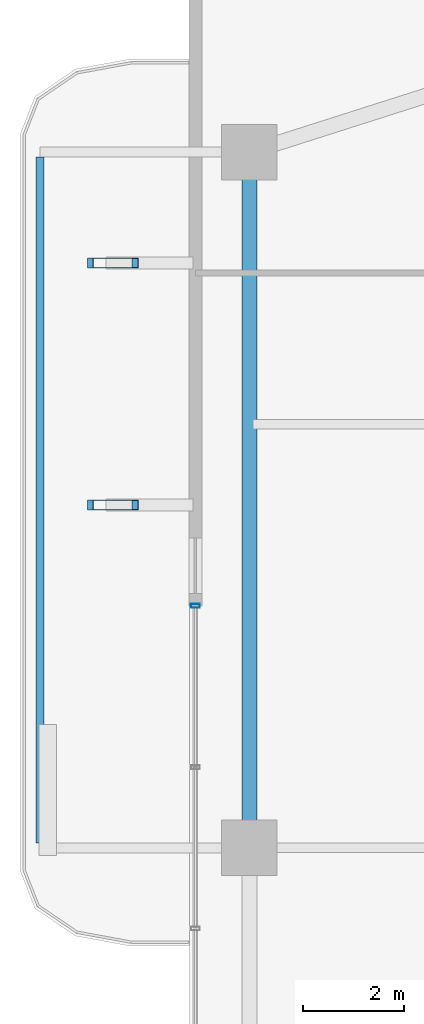
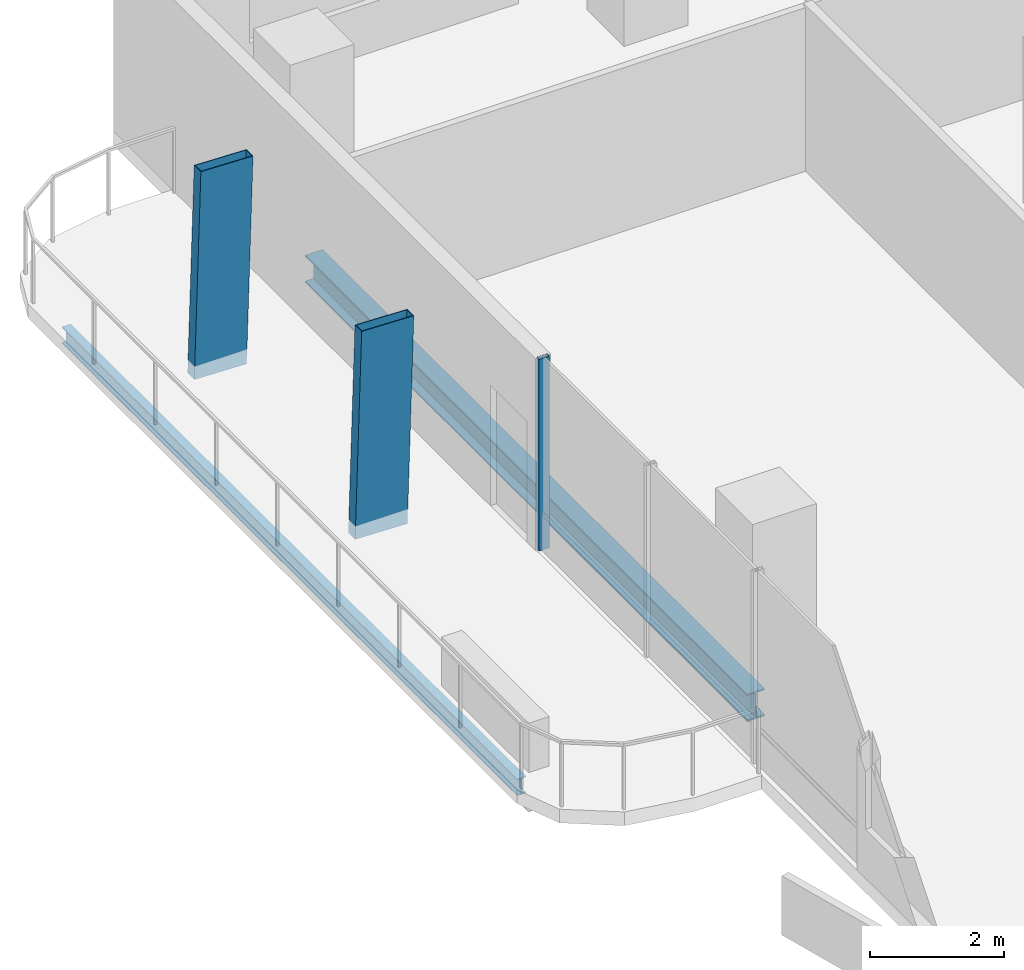
# One storey, part 12 of 25: 3 members, 2 beams, 1 element without a shape of its own.
"""IFC4 building model written with IfcOpenShell, lengths in metres."""

from ifc_helpers import new_model, si_unit, direction, frame, origin, origin_2d, place, context, subcontext, project, spatial, hollow_rectangle, i_section, extrude, material, layer, layer_set, material_profile, profile_set, type_object, element, aggregate, save


model = new_model("IFC4")

# Units and contexts
model_context = context("Model", 3, precision=1e-05, world=origin(), true_north=direction((0.0, 1.0)))
body_context = subcontext(model_context, "Body", "Model", "MODEL_VIEW")
ifc_project = project(units=[si_unit("LENGTHUNIT", "METRE"), si_unit("AREAUNIT", "SQUARE_METRE"), si_unit("VOLUMEUNIT", "CUBIC_METRE"), si_unit("PLANEANGLEUNIT", "RADIAN"), si_unit("MASSUNIT", "GRAM", prefix="KILO")], contexts=[model_context])

# Site, building, storey
site_placement = place(None, origin())
site = spatial("IfcSite", under=ifc_project, at=site_placement, CompositionType="ELEMENT")
building_placement = place(site_placement, origin())
building = spatial("IfcBuilding", under=site, at=building_placement, Name="Belovzor Exchange Tower", CompositionType="ELEMENT")
storey_placement = place(building_placement, frame((0.0, 0.0, 149.550048828125)))
storey = spatial("IfcBuildingStorey", under=building, at=storey_placement, Name="L36", CompositionType="ELEMENT", Elevation=149.550048828125)

# Beam
ifc_material_1 = material(Name="Steel S355", Category="steel")
ifc_material_profile_1 = material_profile(ifc_material_1, i_section(OverallWidth=0.14990234375, OverallDepth=0.300048828125, WebThickness=0.007080078125, FlangeThickness=0.0107421875, at=origin_2d()))
ifc_profile_set_1 = profile_set([ifc_material_profile_1], Name="Steel S355")
beam_type_1 = type_object("IfcBeamType", Name="Planted Balcony Fascia Edge Beam IPE 300", PredefinedType="BEAM", material=ifc_profile_set_1)
beam_1_placement = place(storey_placement, frame((1.547119140625, 42.5, -0.405029296875), z_axis=(0.0, -1.0, 0.0), x_axis=(1.0, 0.0, 0.0)))
element("IfcBeam", 1, at=beam_1_placement, inside=storey, type_object=beam_type_1, Name="BC-300 Planted Balcony Fascia Edge Beam IPE 300", PredefinedType="BEAM", context=body_context, shape_type="SweptSolid", body=[
    extrude(i_section(OverallWidth=0.14990234375, OverallDepth=0.300048828125, WebThickness=0.007080078125, FlangeThickness=0.0107421875, at=origin_2d()), origin(), (0.0, 0.0, 1.0), 13.60009765625),
])

# Members
ifc_material_2 = material(Name="Extruded Architectural Terracotta on Steel S355 Carrier", Category="masonry")
ifc_material_profile_2 = material_profile(ifc_material_2, hollow_rectangle(XDim=0.199951171875, YDim=0.89990234375, WallThickness=0.011962890625, at=origin_2d()))
ifc_profile_set_2 = profile_set([ifc_material_profile_2], Name="Extruded Architectural Terracotta on Steel S355 Carrier")
member_type_1 = type_object("IfcMemberType", Name="Sweeping Terracotta Baguette Fin Assembly 1250", PredefinedType="USERDEFINED", material=ifc_profile_set_2)
for number, where, z_axis, x_axis, name in (
    (2, (2.93603515625, 35.60009765625, -0.255126953125), (0.030129544208, 0.0, 0.999546002226), (0.0, 1.0, 0.0), "FIN-TC125 Terracotta Facade Fin L36 W3"),
    (3, (2.93603515625, 40.39990234375, -0.255126953125), (0.030129544208, 0.0, 0.999546002226), (0.0, 1.0, 0.0), "FIN-TC125 Terracotta Facade Fin L36 W4"),
):
    element("IfcMember", number, at=place(storey_placement, frame(where, z_axis=z_axis, x_axis=x_axis)), inside=storey, type_object=member_type_1, Name=name, ObjectType="FIN", PredefinedType="USERDEFINED", context=body_context, shape_type="SweptSolid", body=[
        extrude(hollow_rectangle(XDim=0.199951171875, YDim=0.89990234375, WallThickness=0.011962890625, at=origin_2d()), origin(), (0.0, 0.0, 1.0), 3.751708984375),
    ])

# Curtain wall, member
ifc_material_3 = material(Name="Anodised Aluminium Framing", Category="aluminium")
ifc_layer = layer(ifc_material_3, 0.179931640625)
ifc_layer_set = layer_set([ifc_layer], Name="Anodised Aluminium Framing")
curtain_wall_type = type_object("IfcCurtainWallType", Name="Recessed Loggia Low-Iron Triple-Glazed Curtain Wall", PredefinedType="NOTDEFINED", material=ifc_layer_set)
curtain_wall_placement = place(storey_placement, origin())
curtain_wall = element("IfcCurtainWall", 4, at=curtain_wall_placement, inside=storey, type_object=curtain_wall_type, Name="CW3 Recessed Loggia Low-Iron Triple-Glazed Curtain Wall L36", PredefinedType="NOTDEFINED")
ifc_material_4 = material(Name="Steel S355", Category="steel")
ifc_material_profile_3 = material_profile(ifc_material_4, hollow_rectangle(XDim=0.074951171875, YDim=0.179931640625, WallThickness=0.0048828125, at=origin_2d()))
ifc_profile_set_3 = profile_set([ifc_material_profile_3], Name="Steel S355")
member_type_2 = type_object("IfcMemberType", Name="Thermally Broken Curtain Wall Mullion 180x75", PredefinedType="MULLION", material=ifc_profile_set_3)
member_placement = place(storey_placement, frame((4.6298828125, 33.60009765625, 0.0), z_axis=(0.0, 0.0, 1.0), x_axis=(0.0, 1.0, 0.0)))
member = element("IfcMember", 5, at=member_placement, type_object=member_type_2, Name="CW-M180 Curtain Wall Mullion 4", PredefinedType="MULLION", context=body_context, shape_type="SweptSolid", body=[
    extrude(hollow_rectangle(XDim=0.074951171875, YDim=0.179931640625, WallThickness=0.0048828125, at=origin_2d()), origin(), (0.0, 0.0, 1.0), 3.494873046875),
])
aggregate(curtain_wall, [member])

# Beam
ifc_material_5 = material(Name="Steel S355", Category="steel")
ifc_material_profile_4 = material_profile(ifc_material_5, i_section(OverallWidth=0.300048828125, OverallDepth=0.5, WebThickness=0.014404296875, FlangeThickness=0.028076171875, at=origin_2d()))
ifc_profile_set_4 = profile_set([ifc_material_profile_4], Name="Steel S355")
beam_type_2 = type_object("IfcBeamType", Name="Zone 3 Waist Primary Girder HEB 500", PredefinedType="BEAM", material=ifc_profile_set_4)
beam_2_placement = place(storey_placement, frame((5.699951171875, 42.297119140625, -0.505126953125), z_axis=(0.0, -1.0, 0.0), x_axis=(1.0, 0.0, 0.0)))
element("IfcBeam", 6, at=beam_2_placement, inside=storey, type_object=beam_type_2, Name="FG-Z3 Zone 3 Waist Primary Girder HEB 500", PredefinedType="BEAM", context=body_context, shape_type="SweptSolid", body=[
    extrude(i_section(OverallWidth=0.300048828125, OverallDepth=0.5, WebThickness=0.014404296875, FlangeThickness=0.028076171875, at=origin_2d()), origin(), (0.0, 0.0, 1.0), 13.195068359375),
])

save(model, "model.ifc")
